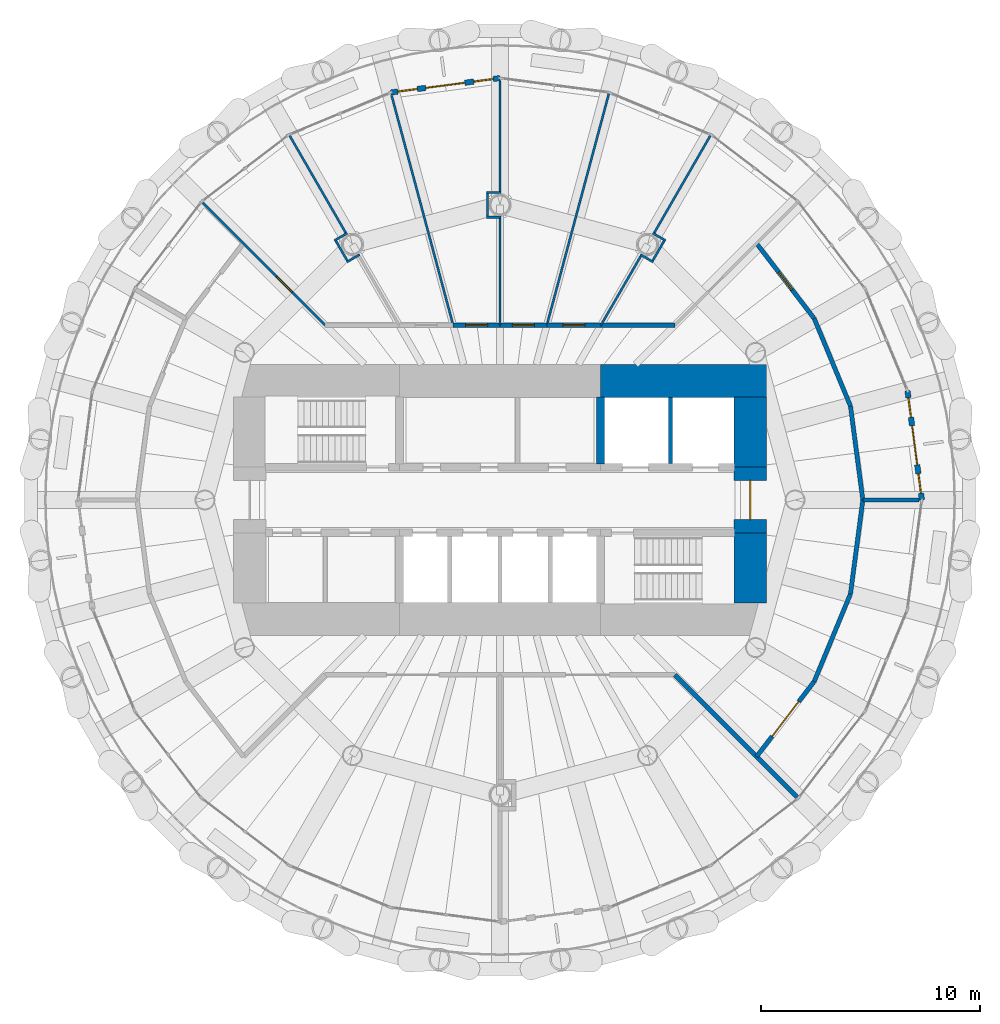
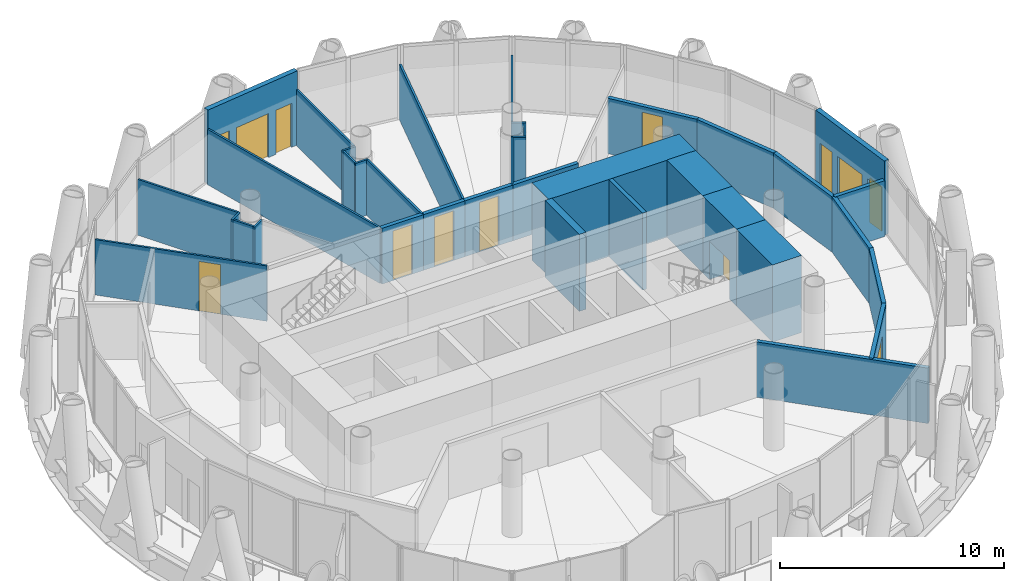
# One storey, part 11 of 15: 37 walls, 9 doors, 4 windows, 13 openings.
"""IFC4 building model written with IfcOpenShell, lengths in metres."""

from ifc_helpers import new_model, si_unit, direction, frame, frame_2d, origin, place, context, subcontext, project, spatial, rectangle, extrude, material, layer, layer_set, type_object, element, fill, save


model = new_model("IFC4")

# Units and contexts
model_context = context("Model", 3, precision=1e-05, world=origin(), true_north=direction((0.0, 1.0)))
body_context = subcontext(model_context, "Body", "Model", "MODEL_VIEW")
ifc_project = project(units=[si_unit("LENGTHUNIT", "METRE"), si_unit("AREAUNIT", "SQUARE_METRE"), si_unit("VOLUMEUNIT", "CUBIC_METRE"), si_unit("PLANEANGLEUNIT", "RADIAN"), si_unit("MASSUNIT", "GRAM", prefix="KILO")], contexts=[model_context])

# Site, building, storey
site_placement = place(None, origin())
site = spatial("IfcSite", under=ifc_project, at=site_placement, CompositionType="ELEMENT")
building_placement = place(site_placement, origin())
building = spatial("IfcBuilding", under=site, at=building_placement, Name="Qaws Media Tower", CompositionType="ELEMENT")
storey_placement = place(building_placement, frame((0.0, 0.0, 265.39990234375)))
storey = spatial("IfcBuildingStorey", under=building, at=storey_placement, Name="L61", CompositionType="ELEMENT", Elevation=265.39990234375)

# Wall, openings, door, windows
ifc_material_1 = material(Name="Precast concrete, exposed finish", Category="concrete")
ifc_layer_1 = layer(ifc_material_1, 0.25)
ifc_layer_set_1 = layer_set([ifc_layer_1], Name="Balcony door wall 250")
wall_type_1 = type_object("IfcWallType", Name="Balcony door wall 250", PredefinedType="SOLIDWALL", material=ifc_layer_set_1)
wall_1_placement = place(storey_placement, frame((79.300048828125, 50.0, 0.0), z_axis=(0.0, 0.0, 1.0), x_axis=(-0.130544763891, 0.99144241619, 0.0)))
wall_1 = element("IfcWall", 1, at=wall_1_placement, inside=storey, type_object=wall_type_1, Name="W283 EW1 balcony door wall L61-01", PredefinedType="SOLIDWALL", context=body_context, shape_type="SweptSolid", body=[
    extrude(rectangle(XDim=5.038330078125, YDim=0.25, at=frame_2d((2.51904296875, 0.0))), origin(), (0.0, 0.0, 1.0), 4.0400390625),
])
opening_1_placement = place(wall_1_placement, frame((1.619140625, 0.0, 0.0)))
opening_1 = element("IfcOpeningElement", 2, at=opening_1_placement, cuts=wall_1, Name="Opening D7", PredefinedType="OPENING", context=body_context, shape_type="SweptSolid", body=[
    extrude(rectangle(XDim=1.800048828125, YDim=2.39990234375, at=frame_2d((0.89990234375, 1.199951171875))), frame((0.0, 0.135009765625, 0.0), z_axis=(0.0, -1.0, 0.0), x_axis=(1.0, 0.0, 0.0)), (0.0, 0.0, 1.0), 0.27001953125),
])
opening_2_placement = place(wall_1_placement, frame((0.319091796875, 0.0, 0.0)))
opening_2 = element("IfcOpeningElement", 3, at=opening_2_placement, cuts=wall_1, Name="Opening W7", PredefinedType="OPENING", context=body_context, shape_type="SweptSolid", body=[
    extrude(rectangle(XDim=0.89990234375, YDim=2.39990234375, at=frame_2d((0.449951171875, 1.199951171875))), frame((0.0, 0.135009765625, 0.0), z_axis=(0.0, -1.0, 0.0), x_axis=(1.0, 0.0, 0.0)), (0.0, 0.0, 1.0), 0.27001953125),
])
opening_3_placement = place(wall_1_placement, frame((3.819091796875, 0.0, 0.0)))
opening_3 = element("IfcOpeningElement", 4, at=opening_3_placement, cuts=wall_1, Name="Opening W7", PredefinedType="OPENING", context=body_context, shape_type="SweptSolid", body=[
    extrude(rectangle(XDim=0.89990234375, YDim=2.39990234375, at=frame_2d((0.449951171875, 1.199951171875))), frame((0.0, 0.135009765625, 0.0), z_axis=(0.0, -1.0, 0.0), x_axis=(1.0, 0.0, 0.0)), (0.0, 0.0, 1.0), 0.27001953125),
])
ifc_material_2 = material(Name="Aluminium and clear glass", Category="aluminium")
door_type_1 = type_object("IfcDoorType", Name="Balcony door pair 1800", OperationType="DOUBLE_DOOR_SLIDING", PredefinedType="DOOR", material=ifc_material_2)
door_1_placement = place(opening_1_placement, origin())
door_1 = element("IfcDoor", 5, at=door_1_placement, inside=storey, type_object=door_type_1, Name="D7 balcony door L61-01 in wall W283", OperationType="DOUBLE_DOOR_SLIDING", OverallHeight=2.39990234375, OverallWidth=1.800048828125, PredefinedType="DOOR", context=body_context, shape_type="SweptSolid", body=[
    extrude(rectangle(XDim=1.800048828125, YDim=2.39990234375, at=frame_2d((0.89990234375, 1.199951171875))), frame((0.0, 0.02490234375, 0.0), z_axis=(0.0, -1.0, 0.0), x_axis=(1.0, 0.0, 0.0)), (0.0, 0.0, 1.0), 0.050048828125),
])
fill(opening_1, door_1)
ifc_material_3 = material(Name="Aluminium and clear glass", Category="aluminium")
window_type = type_object("IfcWindowType", Name="Balcony side window 900", PartitioningType="SINGLE_PANEL", PredefinedType="WINDOW", material=ifc_material_3)
window_1_placement = place(opening_2_placement, origin())
window_1 = element("IfcWindow", 6, at=window_1_placement, inside=storey, type_object=window_type, Name="W1 balcony side light L61-01L", OverallHeight=2.39990234375, OverallWidth=0.89990234375, PartitioningType="SINGLE_PANEL", PredefinedType="WINDOW", context=body_context, shape_type="SweptSolid", body=[
    extrude(rectangle(XDim=0.89990234375, YDim=2.39990234375, at=frame_2d((0.449951171875, 1.199951171875))), frame((0.0, 0.030029296875, 0.0), z_axis=(0.0, -1.0, 0.0), x_axis=(1.0, 0.0, 0.0)), (0.0, 0.0, 1.0), 0.06005859375),
])
fill(opening_2, window_1)
window_2_placement = place(opening_3_placement, origin())
window_2 = element("IfcWindow", 7, at=window_2_placement, inside=storey, type_object=window_type, Name="W1 balcony side light L61-01R", OverallHeight=2.39990234375, OverallWidth=0.89990234375, PartitioningType="SINGLE_PANEL", PredefinedType="WINDOW", context=body_context, shape_type="SweptSolid", body=[
    extrude(rectangle(XDim=0.89990234375, YDim=2.39990234375, at=frame_2d((0.449951171875, 1.199951171875))), frame((0.0, 0.030029296875, 0.0), z_axis=(0.0, -1.0, 0.0), x_axis=(1.0, 0.0, 0.0)), (0.0, 0.0, 1.0), 0.06005859375),
])
fill(opening_3, window_2)

wall_2_placement = place(storey_placement, frame((60.0, 69.300048828125, 0.0), z_axis=(0.0, 0.0, 1.0), x_axis=(-0.99144241619, -0.130544763891, 0.0)))
wall_2 = element("IfcWall", 8, at=wall_2_placement, inside=storey, type_object=wall_type_1, Name="W282 EW1 balcony door wall L61-07", PredefinedType="SOLIDWALL", context=body_context, shape_type="SweptSolid", body=[
    extrude(rectangle(XDim=5.038330078125, YDim=0.25, at=frame_2d((2.51904296875, 0.0))), origin(), (0.0, 0.0, 1.0), 4.0400390625),
])
opening_4_placement = place(wall_2_placement, frame((1.619140625, 0.0, 0.0)))
opening_4 = element("IfcOpeningElement", 9, at=opening_4_placement, cuts=wall_2, Name="Opening D7", PredefinedType="OPENING", context=body_context, shape_type="SweptSolid", body=[
    extrude(rectangle(XDim=1.800048828125, YDim=2.39990234375, at=frame_2d((0.89990234375, 1.199951171875))), frame((0.0, 0.135009765625, 0.0), z_axis=(0.0, -1.0, 0.0), x_axis=(1.0, 0.0, 0.0)), (0.0, 0.0, 1.0), 0.27001953125),
])
opening_5_placement = place(wall_2_placement, frame((0.319091796875, 0.0, 0.0)))
opening_5 = element("IfcOpeningElement", 10, at=opening_5_placement, cuts=wall_2, Name="Opening W7", PredefinedType="OPENING", context=body_context, shape_type="SweptSolid", body=[
    extrude(rectangle(XDim=0.89990234375, YDim=2.39990234375, at=frame_2d((0.449951171875, 1.199951171875))), frame((0.0, 0.135009765625, 0.0), z_axis=(0.0, -1.0, 0.0), x_axis=(1.0, 0.0, 0.0)), (0.0, 0.0, 1.0), 0.27001953125),
])
opening_6_placement = place(wall_2_placement, frame((3.819091796875, 0.0, 0.0)))
opening_6 = element("IfcOpeningElement", 11, at=opening_6_placement, cuts=wall_2, Name="Opening W7", PredefinedType="OPENING", context=body_context, shape_type="SweptSolid", body=[
    extrude(rectangle(XDim=0.89990234375, YDim=2.39990234375, at=frame_2d((0.449951171875, 1.199951171875))), frame((0.0, 0.135009765625, 0.0), z_axis=(0.0, -1.0, 0.0), x_axis=(1.0, 0.0, 0.0)), (0.0, 0.0, 1.0), 0.27001953125),
])
door_2_placement = place(opening_4_placement, origin())
door_2 = element("IfcDoor", 12, at=door_2_placement, inside=storey, type_object=door_type_1, Name="D7 balcony door L61-07 in wall W282", OperationType="DOUBLE_DOOR_SLIDING", OverallHeight=2.39990234375, OverallWidth=1.800048828125, PredefinedType="DOOR", context=body_context, shape_type="SweptSolid", body=[
    extrude(rectangle(XDim=1.800048828125, YDim=2.39990234375, at=frame_2d((0.89990234375, 1.199951171875))), frame((0.0, 0.02490234375, 0.0), z_axis=(0.0, -1.0, 0.0), x_axis=(1.0, 0.0, 0.0)), (0.0, 0.0, 1.0), 0.050048828125),
])
fill(opening_4, door_2)
window_3_placement = place(opening_5_placement, origin())
window_3 = element("IfcWindow", 13, at=window_3_placement, inside=storey, type_object=window_type, Name="W1 balcony side light L61-07L", OverallHeight=2.39990234375, OverallWidth=0.89990234375, PartitioningType="SINGLE_PANEL", PredefinedType="WINDOW", context=body_context, shape_type="SweptSolid", body=[
    extrude(rectangle(XDim=0.89990234375, YDim=2.39990234375, at=frame_2d((0.449951171875, 1.199951171875))), frame((0.0, 0.030029296875, 0.0), z_axis=(0.0, -1.0, 0.0), x_axis=(1.0, 0.0, 0.0)), (0.0, 0.0, 1.0), 0.06005859375),
])
fill(opening_5, window_3)
window_4_placement = place(opening_6_placement, origin())
window_4 = element("IfcWindow", 14, at=window_4_placement, inside=storey, type_object=window_type, Name="W1 balcony side light L61-07R", OverallHeight=2.39990234375, OverallWidth=0.89990234375, PartitioningType="SINGLE_PANEL", PredefinedType="WINDOW", context=body_context, shape_type="SweptSolid", body=[
    extrude(rectangle(XDim=0.89990234375, YDim=2.39990234375, at=frame_2d((0.449951171875, 1.199951171875))), frame((0.0, 0.030029296875, 0.0), z_axis=(0.0, -1.0, 0.0), x_axis=(1.0, 0.0, 0.0)), (0.0, 0.0, 1.0), 0.06005859375),
])
fill(opening_6, window_4)

# Walls
ifc_material_4 = material(Name="Concrete C60/75", Category="concrete")
ifc_layer_2 = layer(ifc_material_4, 0.35009765625)
ifc_layer_set_2 = layer_set([ifc_layer_2], Name="Core inner wall 350")
wall_type_2 = type_object("IfcWallType", Name="Core inner wall 350", PredefinedType="SHEAR", material=ifc_layer_set_2)
wall_3_placement = place(storey_placement, frame((64.60009765625, 51.655029296875, 0.0), z_axis=(0.0, 0.0, 1.0), x_axis=(0.0, 1.0, 0.0)))
element("IfcWall", 15, at=wall_3_placement, inside=storey, type_object=wall_type_2, Name="W309 SW5 core wall XNE L61", PredefinedType="SHEAR", context=body_context, shape_type="SweptSolid", body=[
    extrude(rectangle(XDim=3.06494140625, YDim=0.35009765625, at=frame_2d((1.532470703125, 0.0))), origin(), (0.0, 0.0, 1.0), 4.2001953125),
])
ifc_material_5 = material(Name="Concrete C60/75", Category="concrete")
ifc_layer_3 = layer(ifc_material_5, 1.5)
ifc_layer_set_3 = layer_set([ifc_layer_3], Name="Core wall 1500")
wall_type_3 = type_object("IfcWallType", Name="Core wall 1500", PredefinedType="SHEAR", material=ifc_layer_set_3)
wall_4_placement = place(storey_placement, frame((64.60009765625, 55.449951171875, 0.0), z_axis=(0.0, 0.0, 1.0), x_axis=(1.0, 0.0, 0.0)))
element("IfcWall", 16, at=wall_4_placement, inside=storey, type_object=wall_type_3, Name="W382 SW13 core wall NE L61", PredefinedType="SHEAR", context=body_context, shape_type="SweptSolid", body=[
    extrude(rectangle(XDim=7.599853515625, YDim=1.5, at=frame_2d((3.7998046875, 0.0))), origin(), (0.0, 0.0, 1.0), 4.2001953125),
])
wall_5_placement = place(storey_placement, frame((71.449951171875, 45.280029296875, 0.0), z_axis=(0.0, 0.0, 1.0), x_axis=(0.0, 1.0, 0.0)))
element("IfcWall", 17, at=wall_5_placement, inside=storey, type_object=wall_type_3, Name="W383 SW13 core wall ES L61", PredefinedType="SHEAR", context=body_context, shape_type="SweptSolid", body=[
    extrude(rectangle(XDim=3.219970703125, YDim=1.5, at=frame_2d((1.60986328125, 0.0))), origin(), (0.0, 0.0, 1.0), 4.2001953125),
])

# Wall, opening, door
wall_6_placement = place(storey_placement, frame((71.449951171875, 48.5, 0.0), z_axis=(0.0, 0.0, 1.0), x_axis=(0.0, 1.0, 0.0)))
wall_6 = element("IfcWall", 18, at=wall_6_placement, inside=storey, type_object=wall_type_3, Name="W384 SW13 core wall E L61", PredefinedType="SHEAR", context=body_context, shape_type="SweptSolid", body=[
    extrude(rectangle(XDim=3.0, YDim=1.5, at=frame_2d((1.5, 0.0))), origin(), (0.0, 0.0, 1.0), 4.2001953125),
])
opening_7_placement = place(wall_6_placement, frame((0.60009765625, 0.0, 0.0)))
opening_7 = element("IfcOpeningElement", 19, at=opening_7_placement, cuts=wall_6, Name="Opening D2", PredefinedType="OPENING", context=body_context, shape_type="SweptSolid", body=[
    extrude(rectangle(XDim=1.800048828125, YDim=2.10009765625, at=frame_2d((0.89990234375, 1.050048828125))), frame((0.0, 0.760009765625, 0.0), z_axis=(0.0, -1.0, 0.0), x_axis=(1.0, 0.0, 0.0)), (0.0, 0.0, 1.0), 1.52001953125),
])
ifc_material_6 = material(Name="Steel and glass, fire rated", Category="steel")
door_type_2 = type_object("IfcDoorType", Name="Lobby door pair 1800 FD60", OperationType="DOUBLE_DOOR_DOUBLE_SWING", PredefinedType="DOOR", material=ifc_material_6)
door_3_placement = place(opening_7_placement, origin())
door_3 = element("IfcDoor", 20, at=door_3_placement, inside=storey, type_object=door_type_2, Name="D2 core lobby door E L61 in wall W384", OperationType="DOUBLE_DOOR_DOUBLE_SWING", OverallHeight=2.10009765625, OverallWidth=1.800048828125, PredefinedType="DOOR", context=body_context, shape_type="SweptSolid", body=[
    extrude(rectangle(XDim=1.800048828125, YDim=2.10009765625, at=frame_2d((0.89990234375, 1.050048828125))), frame((0.0, 0.02490234375, 0.0), z_axis=(0.0, -1.0, 0.0), x_axis=(1.0, 0.0, 0.0)), (0.0, 0.0, 1.0), 0.050048828125),
])
fill(opening_7, door_3)

# Walls
wall_7_placement = place(storey_placement, frame((71.449951171875, 51.5, 0.0), z_axis=(0.0, 0.0, 1.0), x_axis=(0.0, 1.0, 0.0)))
element("IfcWall", 21, at=wall_7_placement, inside=storey, type_object=wall_type_3, Name="W385 SW13 core wall EN L61", PredefinedType="SHEAR", context=body_context, shape_type="SweptSolid", body=[
    extrude(rectangle(XDim=3.219970703125, YDim=1.5, at=frame_2d((1.60986328125, 0.0))), origin(), (0.0, 0.0, 1.0), 4.2001953125),
])
ifc_material_7 = material(Name="Gypsum board on 70 metal studs, single layer each side", Category="gypsum")
ifc_layer_4 = layer(ifc_material_7, 0.10009765625)
ifc_layer_set_4 = layer_set([ifc_layer_4], Name="Office stud partition 100")
wall_type_4 = type_object("IfcWallType", Name="Office stud partition 100", PredefinedType="PARTITIONING", material=ifc_layer_set_4)
wall_8_placement = place(storey_placement, frame((66.423095703125, 61.225341796875, 0.0), z_axis=(0.0, 0.0, 1.0), x_axis=(0.865993452726, -0.500055336774, 0.0)))
element("IfcWall", 22, at=wall_8_placement, inside=storey, type_object=wall_type_4, Name="W719 IW4 partition return L61", PredefinedType="PARTITIONING", context=body_context, shape_type="SweptSolid", body=[
    extrude(rectangle(XDim=0.67724609375, YDim=0.10009765625, at=frame_2d((0.338623046875, 0.0))), origin(), (0.0, 0.0, 1.0), 3.02001953125),
])
wall_9_placement = place(storey_placement, frame((66.990234375, 62.20751953125, 0.0), z_axis=(0.0, 0.0, 1.0), x_axis=(0.865903257996, -0.500211503058, 0.0)))
element("IfcWall", 23, at=wall_9_placement, inside=storey, type_object=wall_type_4, Name="W720 IW4 partition return L61", PredefinedType="PARTITIONING", context=body_context, shape_type="SweptSolid", body=[
    extrude(rectangle(XDim=0.677001953125, YDim=0.10009765625, at=frame_2d((0.33837890625, 0.0))), origin(), (0.0, 0.0, 1.0), 3.02001953125),
])
wall_10_placement = place(storey_placement, frame((66.9912109375, 60.955078125, 0.0), z_axis=(0.0, 0.0, 1.0), x_axis=(0.500049439734, 0.865996857859, 0.0)))
element("IfcWall", 24, at=wall_10_placement, inside=storey, type_object=wall_type_4, Name="W721 IW4 partition return L61", PredefinedType="PARTITIONING", context=body_context, shape_type="SweptSolid", body=[
    extrude(rectangle(XDim=1.0341796875, YDim=0.10009765625, at=frame_2d((0.51708984375, 0.0))), origin(), (0.0, 0.0, 1.0), 3.02001953125),
])
wall_11_placement = place(storey_placement, frame((64.6201171875, 58.002197265625, 0.0), z_axis=(0.0, 0.0, 1.0), x_axis=(0.499973852758, 0.866040499375, 0.0)))
element("IfcWall", 25, at=wall_11_placement, inside=storey, type_object=wall_type_4, Name="W708 IW4 partition L61", PredefinedType="PARTITIONING", context=body_context, shape_type="SweptSolid", body=[
    extrude(rectangle(XDim=3.642822265625, YDim=0.10009765625, at=frame_2d((1.8212890625, 0.0))), origin(), (0.0, 0.0, 1.0), 3.0400390625),
])
wall_12_placement = place(storey_placement, frame((67.05859375, 62.2255859375, 0.0), z_axis=(0.0, 0.0, 1.0), x_axis=(0.499958048256, 0.86604962328, 0.0)))
element("IfcWall", 26, at=wall_12_placement, inside=storey, type_object=wall_type_4, Name="W722 IW4 partition L61", PredefinedType="PARTITIONING", context=body_context, shape_type="SweptSolid", body=[
    extrude(rectangle(XDim=5.14306640625, YDim=0.10009765625, at=frame_2d((2.571533203125, 0.0))), origin(), (0.0, 0.0, 1.0), 3.0400390625),
])
wall_13_placement = place(storey_placement, frame((62.14306640625, 57.997802734375, 0.0), z_axis=(0.0, 0.0, 1.0), x_axis=(0.258813883274, 0.965927209382, 0.0)))
element("IfcWall", 27, at=wall_13_placement, inside=storey, type_object=wall_type_4, Name="W718 IW4 partition L61", PredefinedType="PARTITIONING", context=body_context, shape_type="SweptSolid", body=[
    extrude(rectangle(XDim=10.97998046875, YDim=0.10009765625, at=frame_2d((5.489990234375, 0.0))), origin(), (0.0, 0.0, 1.0), 3.02001953125),
])
for number, where, z_axis, x_axis, name in (
    (28, (60.050048828125, 62.93310546875, 0.0), (0.0, 0.0, 1.0), (-1.0, 0.0, 0.0), "W705 IW4 partition return L61"),
    (29, (60.050048828125, 64.06689453125, 0.0), (0.0, 0.0, 1.0), (-1.0, 0.0, 0.0), "W706 IW4 partition return L61"),
):
    element("IfcWall", number, at=place(storey_placement, frame(where, z_axis=z_axis, x_axis=x_axis)), inside=storey, type_object=wall_type_4, Name=name, PredefinedType="PARTITIONING", context=body_context, shape_type="SweptSolid", body=[
        extrude(rectangle(XDim=0.677001953125, YDim=0.10009765625, at=frame_2d((0.33837890625, 0.0))), origin(), (0.0, 0.0, 1.0), 3.02001953125),
    ])
wall_14_placement = place(storey_placement, frame((59.423095703125, 62.98291015625, 0.0), z_axis=(0.0, 0.0, 1.0), x_axis=(0.0, 1.0, 0.0)))
element("IfcWall", 30, at=wall_14_placement, inside=storey, type_object=wall_type_4, Name="W702 IW4 partition return L61", PredefinedType="PARTITIONING", context=body_context, shape_type="SweptSolid", body=[
    extrude(rectangle(XDim=1.0341796875, YDim=0.10009765625, at=frame_2d((0.51708984375, 0.0))), origin(), (0.0, 0.0, 1.0), 3.02001953125),
])
wall_15_placement = place(storey_placement, frame((60.0, 58.0, 0.0), z_axis=(0.0, 0.0, 1.0), x_axis=(0.0, 1.0, 0.0)))
element("IfcWall", 31, at=wall_15_placement, inside=storey, type_object=wall_type_4, Name="W703 IW4 partition L61", PredefinedType="PARTITIONING", context=body_context, shape_type="SweptSolid", body=[
    extrude(rectangle(XDim=4.883056640625, YDim=0.10009765625, at=frame_2d((2.44140625, 0.0))), origin(), (0.0, 0.0, 1.0), 3.0400390625),
])
wall_16_placement = place(storey_placement, frame((60.0, 64.116943359375, 0.0), z_axis=(0.0, 0.0, 1.0), x_axis=(0.0, 1.0, 0.0)))
element("IfcWall", 32, at=wall_16_placement, inside=storey, type_object=wall_type_4, Name="W717 IW4 partition L61", PredefinedType="PARTITIONING", context=body_context, shape_type="SweptSolid", body=[
    extrude(rectangle(XDim=5.04296875, YDim=0.10009765625, at=frame_2d((2.521484375, 0.0))), origin(), (0.0, 0.0, 1.0), 3.0400390625),
])
wall_17_placement = place(storey_placement, frame((57.85693359375, 57.997802734375, 0.0), z_axis=(0.0, 0.0, 1.0), x_axis=(-0.258816094401, 0.965926616922, 0.0)))
element("IfcWall", 33, at=wall_17_placement, inside=storey, type_object=wall_type_4, Name="W716 IW4 partition L61", PredefinedType="PARTITIONING", context=body_context, shape_type="SweptSolid", body=[
    extrude(rectangle(XDim=10.8798828125, YDim=0.10009765625, at=frame_2d((5.43994140625, 0.0))), origin(), (0.0, 0.0, 1.0), 3.02001953125),
])
wall_18_placement = place(storey_placement, frame((53.576904296875, 61.225341796875, 0.0), z_axis=(0.0, 0.0, 1.0), x_axis=(-0.865993452726, -0.500055336774, 0.0)))
element("IfcWall", 34, at=wall_18_placement, inside=storey, type_object=wall_type_4, Name="W699 IW4 partition return L61", PredefinedType="PARTITIONING", context=body_context, shape_type="SweptSolid", body=[
    extrude(rectangle(XDim=0.67724609375, YDim=0.10009765625, at=frame_2d((0.338623046875, 0.0))), origin(), (0.0, 0.0, 1.0), 3.02001953125),
])
wall_19_placement = place(storey_placement, frame((53.009765625, 62.20751953125, 0.0), z_axis=(0.0, 0.0, 1.0), x_axis=(-0.865903257996, -0.500211503058, 0.0)))
element("IfcWall", 35, at=wall_19_placement, inside=storey, type_object=wall_type_4, Name="W698 IW4 partition return L61", PredefinedType="PARTITIONING", context=body_context, shape_type="SweptSolid", body=[
    extrude(rectangle(XDim=0.677001953125, YDim=0.10009765625, at=frame_2d((0.33837890625, 0.0))), origin(), (0.0, 0.0, 1.0), 3.02001953125),
])
wall_20_placement = place(storey_placement, frame((53.0087890625, 60.955078125, 0.0), z_axis=(0.0, 0.0, 1.0), x_axis=(-0.500049439734, 0.865996857859, 0.0)))
element("IfcWall", 36, at=wall_20_placement, inside=storey, type_object=wall_type_4, Name="W697 IW4 partition return L61", PredefinedType="PARTITIONING", context=body_context, shape_type="SweptSolid", body=[
    extrude(rectangle(XDim=1.0341796875, YDim=0.10009765625, at=frame_2d((0.51708984375, 0.0))), origin(), (0.0, 0.0, 1.0), 3.02001953125),
])
wall_21_placement = place(storey_placement, frame((52.94140625, 62.2255859375, 0.0), z_axis=(0.0, 0.0, 1.0), x_axis=(-0.499958048256, 0.86604962328, 0.0)))
element("IfcWall", 37, at=wall_21_placement, inside=storey, type_object=wall_type_4, Name="W715 IW4 partition L61", PredefinedType="PARTITIONING", context=body_context, shape_type="SweptSolid", body=[
    extrude(rectangle(XDim=5.14306640625, YDim=0.10009765625, at=frame_2d((2.571533203125, 0.0))), origin(), (0.0, 0.0, 1.0), 3.0400390625),
])

# Wall, opening, door
wall_22_placement = place(storey_placement, frame((52.0, 58.0, 0.0), z_axis=(0.0, 0.0, 1.0), x_axis=(-0.707106781187, 0.707106781187, 0.0)))
wall_22 = element("IfcWall", 38, at=wall_22_placement, inside=storey, type_object=wall_type_4, Name="W714 IW4 partition L61", PredefinedType="PARTITIONING", context=body_context, shape_type="SweptSolid", body=[
    extrude(rectangle(XDim=7.9462890625, YDim=0.10009765625, at=frame_2d((3.97314453125, 0.0))), origin(), (0.0, 0.0, 1.0), 3.02001953125),
])
opening_8_placement = place(wall_22_placement, frame((2.14306640625, 0.0, 0.0)))
opening_8 = element("IfcOpeningElement", 39, at=opening_8_placement, cuts=wall_22, Name="Opening D28", PredefinedType="OPENING", context=body_context, shape_type="SweptSolid", body=[
    extrude(rectangle(XDim=1.0, YDim=2.699951171875, at=frame_2d((0.5, 1.35009765625))), frame((0.0, 0.06005859375, 0.0), z_axis=(0.0, -1.0, 0.0), x_axis=(1.0, 0.0, 0.0)), (0.0, 0.0, 1.0), 0.1201171875),
])
ifc_material_8 = material(Name="Timber veneered, full height, acoustic seals", Category="wood")
door_type_3 = type_object("IfcDoorType", Name="Executive connecting door 1000x2700", OperationType="SINGLE_SWING_LEFT", PredefinedType="DOOR", material=ifc_material_8)
door_4_placement = place(opening_8_placement, origin())
door_4 = element("IfcDoor", 40, at=door_4_placement, inside=storey, type_object=door_type_3, Name="D28 Executive office door L61 in wall W714", OperationType="SINGLE_SWING_LEFT", OverallHeight=2.699951171875, OverallWidth=1.0, PredefinedType="DOOR", context=body_context, shape_type="SweptSolid", body=[
    extrude(rectangle(XDim=1.0, YDim=2.699951171875, at=frame_2d((0.5, 1.35009765625))), frame((0.0, 0.02490234375, 0.0), z_axis=(0.0, -1.0, 0.0), x_axis=(1.0, 0.0, 0.0)), (0.0, 0.0, 1.0), 0.050048828125),
])
fill(opening_8, door_4)

ifc_material_9 = material(Name="Gypsum board on galvanised metal studs, acoustic double stud, deflection head", Category="gypsum")
ifc_layer_5 = layer(ifc_material_9, 0.199951171875)
ifc_layer_set_5 = layer_set([ifc_layer_5], Name="Room partition 200")
wall_type_5 = type_object("IfcWallType", Name="Room partition 200", PredefinedType="PARTITIONING", material=ifc_layer_set_5)
wall_23_placement = place(storey_placement, frame((57.8564453125, 58.0, 0.0), z_axis=(0.0, 0.0, 1.0), x_axis=(1.0, 0.0, 0.0)))
wall_23 = element("IfcWall", 41, at=wall_23_placement, inside=storey, type_object=wall_type_5, Name="W1719 IW3 partition L61", PredefinedType="PARTITIONING", context=body_context, shape_type="SweptSolid", body=[
    extrude(rectangle(XDim=2.1435546875, YDim=0.199951171875, at=frame_2d((1.07177734375, 0.0))), origin(), (0.0, 0.0, 1.0), 3.0400390625),
])
opening_9_placement = place(wall_23_placement, frame((0.57177734375, 0.0, 0.0)))
opening_9 = element("IfcOpeningElement", 42, at=opening_9_placement, cuts=wall_23, Name="Opening D21", PredefinedType="OPENING", context=body_context, shape_type="SweptSolid", body=[
    extrude(rectangle(XDim=1.0, YDim=2.699951171875, at=frame_2d((0.5, 1.35009765625))), frame((0.0, 0.10986328125, 0.0), z_axis=(0.0, -1.0, 0.0), x_axis=(1.0, 0.0, 0.0)), (0.0, 0.0, 1.0), 0.219970703125),
])
ifc_material_10 = material(Name="Timber veneered, full height, acoustic seals", Category="wood")
door_type_4 = type_object("IfcDoorType", Name="Executive door 1000x2700", OperationType="SINGLE_SWING_LEFT", PredefinedType="DOOR", material=ifc_material_10)
door_5_placement = place(opening_9_placement, origin())
door_5 = element("IfcDoor", 43, at=door_5_placement, inside=storey, type_object=door_type_4, Name="D21 Executive office door L61 in wall W1719", OperationType="SINGLE_SWING_LEFT", OverallHeight=2.699951171875, OverallWidth=1.0, PredefinedType="DOOR", context=body_context, shape_type="SweptSolid", body=[
    extrude(rectangle(XDim=1.0, YDim=2.699951171875, at=frame_2d((0.5, 1.35009765625))), frame((0.0, 0.02490234375, 0.0), z_axis=(0.0, -1.0, 0.0), x_axis=(1.0, 0.0, 0.0)), (0.0, 0.0, 1.0), 0.050048828125),
])
fill(opening_9, door_5)

wall_24_placement = place(storey_placement, frame((60.0, 58.0, 0.0), z_axis=(0.0, 0.0, 1.0), x_axis=(1.0, 0.0, 0.0)))
wall_24 = element("IfcWall", 44, at=wall_24_placement, inside=storey, type_object=wall_type_5, Name="W1723 IW3 partition L61", PredefinedType="PARTITIONING", context=body_context, shape_type="SweptSolid", body=[
    extrude(rectangle(XDim=2.1435546875, YDim=0.199951171875, at=frame_2d((1.07177734375, 0.0))), origin(), (0.0, 0.0, 1.0), 3.0400390625),
])
opening_10_placement = place(wall_24_placement, frame((0.57177734375, 0.0, 0.0)))
opening_10 = element("IfcOpeningElement", 45, at=opening_10_placement, cuts=wall_24, Name="Opening D21", PredefinedType="OPENING", context=body_context, shape_type="SweptSolid", body=[
    extrude(rectangle(XDim=1.0, YDim=2.699951171875, at=frame_2d((0.5, 1.35009765625))), frame((0.0, 0.10986328125, 0.0), z_axis=(0.0, -1.0, 0.0), x_axis=(1.0, 0.0, 0.0)), (0.0, 0.0, 1.0), 0.219970703125),
])
door_6_placement = place(opening_10_placement, origin())
door_6 = element("IfcDoor", 46, at=door_6_placement, inside=storey, type_object=door_type_4, Name="D21 Executive office door L61 in wall W1723", OperationType="SINGLE_SWING_LEFT", OverallHeight=2.699951171875, OverallWidth=1.0, PredefinedType="DOOR", context=body_context, shape_type="SweptSolid", body=[
    extrude(rectangle(XDim=1.0, YDim=2.699951171875, at=frame_2d((0.5, 1.35009765625))), frame((0.0, 0.02490234375, 0.0), z_axis=(0.0, -1.0, 0.0), x_axis=(1.0, 0.0, 0.0)), (0.0, 0.0, 1.0), 0.050048828125),
])
fill(opening_10, door_6)

wall_25_placement = place(storey_placement, frame((62.1435546875, 58.0, 0.0), z_axis=(0.0, 0.0, 1.0), x_axis=(1.0, 0.0, 0.0)))
wall_25 = element("IfcWall", 47, at=wall_25_placement, inside=storey, type_object=wall_type_5, Name="W1725 IW3 partition L61", PredefinedType="PARTITIONING", context=body_context, shape_type="SweptSolid", body=[
    extrude(rectangle(XDim=2.475341796875, YDim=0.199951171875, at=frame_2d((1.23779296875, 0.0))), origin(), (0.0, 0.0, 1.0), 3.0400390625),
])
opening_11_placement = place(wall_25_placement, frame((0.737548828125, 0.0, 0.0)))
opening_11 = element("IfcOpeningElement", 48, at=opening_11_placement, cuts=wall_25, Name="Opening D21", PredefinedType="OPENING", context=body_context, shape_type="SweptSolid", body=[
    extrude(rectangle(XDim=1.0, YDim=2.699951171875, at=frame_2d((0.5, 1.35009765625))), frame((0.0, 0.10986328125, 0.0), z_axis=(0.0, -1.0, 0.0), x_axis=(1.0, 0.0, 0.0)), (0.0, 0.0, 1.0), 0.219970703125),
])
door_7_placement = place(opening_11_placement, origin())
door_7 = element("IfcDoor", 49, at=door_7_placement, inside=storey, type_object=door_type_4, Name="D21 Executive office door L61 in wall W1725", OperationType="SINGLE_SWING_LEFT", OverallHeight=2.699951171875, OverallWidth=1.0, PredefinedType="DOOR", context=body_context, shape_type="SweptSolid", body=[
    extrude(rectangle(XDim=1.0, YDim=2.699951171875, at=frame_2d((0.5, 1.35009765625))), frame((0.0, 0.02490234375, 0.0), z_axis=(0.0, -1.0, 0.0), x_axis=(1.0, 0.0, 0.0)), (0.0, 0.0, 1.0), 0.050048828125),
])
fill(opening_11, door_7)

# Wall
wall_26_placement = place(storey_placement, frame((64.618896484375, 58.0, 0.0), z_axis=(0.0, 0.0, 1.0), x_axis=(1.0, 0.0, 0.0)))
element("IfcWall", 50, at=wall_26_placement, inside=storey, type_object=wall_type_5, Name="W1726 IW3 partition L61", PredefinedType="PARTITIONING", context=body_context, shape_type="SweptSolid", body=[
    extrude(rectangle(XDim=3.381103515625, YDim=0.199951171875, at=frame_2d((1.6904296875, 0.0))), origin(), (0.0, 0.0, 1.0), 3.0400390625),
])

# Wall, opening, door
wall_27_placement = place(storey_placement, frame((71.738037109375, 61.738037109375, 0.0), z_axis=(0.0, 0.0, 1.0), x_axis=(0.60874374674, -0.79336690806, 0.0)))
wall_27 = element("IfcWall", 51, at=wall_27_placement, inside=storey, type_object=wall_type_5, Name="W1747 IW3 partition L61", PredefinedType="PARTITIONING", context=body_context, shape_type="SweptSolid", body=[
    extrude(rectangle(XDim=4.33349609375, YDim=0.199951171875, at=frame_2d((2.166748046875, 0.0))), origin(), (0.0, 0.0, 1.0), 3.02001953125),
])
opening_12_placement = place(wall_27_placement, frame((1.666748046875, 0.0, 0.0)))
opening_12 = element("IfcOpeningElement", 52, at=opening_12_placement, cuts=wall_27, Name="Opening D21", PredefinedType="OPENING", context=body_context, shape_type="SweptSolid", body=[
    extrude(rectangle(XDim=1.0, YDim=2.699951171875, at=frame_2d((0.5, 1.35009765625))), frame((0.0, 0.10986328125, 0.0), z_axis=(0.0, -1.0, 0.0), x_axis=(1.0, 0.0, 0.0)), (0.0, 0.0, 1.0), 0.219970703125),
])
door_8_placement = place(opening_12_placement, origin())
door_8 = element("IfcDoor", 53, at=door_8_placement, inside=storey, type_object=door_type_4, Name="D21 Chairman's office door L61 in wall W1747", OperationType="SINGLE_SWING_LEFT", OverallHeight=2.699951171875, OverallWidth=1.0, PredefinedType="DOOR", context=body_context, shape_type="SweptSolid", body=[
    extrude(rectangle(XDim=1.0, YDim=2.699951171875, at=frame_2d((0.5, 1.35009765625))), frame((0.0, 0.02490234375, 0.0), z_axis=(0.0, -1.0, 0.0), x_axis=(1.0, 0.0, 0.0)), (0.0, 0.0, 1.0), 0.050048828125),
])
fill(opening_12, door_8)

# Walls
for number, where, z_axis, x_axis, name in (
    (54, (74.3759765625, 58.300048828125, 0.0), (0.0, 0.0, 1.0), (0.382698425325, -0.923873322082, 0.0), "W1749 IW3 partition L61"),
    (55, (76.034423828125, 54.29638671875, 0.0), (0.0, 0.0, 1.0), (0.130536124221, -0.99144355375, 0.0), "W1751 IW3 partition L61"),
    (56, (76.60009765625, 50.0, 0.0), (0.0, 0.0, 1.0), (-0.130536124221, -0.99144355375, 0.0), "W1752 IW3 partition L61"),
    (57, (76.034423828125, 45.70361328125, 0.0), (0.0, 0.0, 1.0), (-0.382698425325, -0.923873322082, 0.0), "W1750 IW3 partition L61"),
):
    element("IfcWall", number, at=place(storey_placement, frame(where, z_axis=z_axis, x_axis=x_axis)), inside=storey, type_object=wall_type_5, Name=name, PredefinedType="PARTITIONING", context=body_context, shape_type="SweptSolid", body=[
        extrude(rectangle(XDim=4.33349609375, YDim=0.199951171875, at=frame_2d((2.166748046875, 0.0))), origin(), (0.0, 0.0, 1.0), 3.02001953125),
    ])

# Wall, opening, door
wall_28_placement = place(storey_placement, frame((74.3759765625, 41.699951171875, 0.0), z_axis=(0.0, 0.0, 1.0), x_axis=(-0.60874374674, -0.79336690806, 0.0)))
wall_28 = element("IfcWall", 58, at=wall_28_placement, inside=storey, type_object=wall_type_5, Name="W1748 IW3 partition L61", PredefinedType="PARTITIONING", context=body_context, shape_type="SweptSolid", body=[
    extrude(rectangle(XDim=4.33349609375, YDim=0.199951171875, at=frame_2d((2.166748046875, 0.0))), origin(), (0.0, 0.0, 1.0), 3.02001953125),
])
opening_13_placement = place(wall_28_placement, frame((1.166748046875, 0.0, 0.0)))
opening_13 = element("IfcOpeningElement", 59, at=opening_13_placement, cuts=wall_28, Name="Opening D6", PredefinedType="OPENING", context=body_context, shape_type="SweptSolid", body=[
    extrude(rectangle(XDim=2.0, YDim=2.10009765625, at=frame_2d((1.0, 1.050048828125))), frame((0.0, 0.10986328125, 0.0), z_axis=(0.0, -1.0, 0.0), x_axis=(1.0, 0.0, 0.0)), (0.0, 0.0, 1.0), 0.219970703125),
])
ifc_material_11 = material(Name="Steel, acoustic, fire rated", Category="steel")
door_type_5 = type_object("IfcDoorType", Name="Room door pair 2000", OperationType="DOUBLE_DOOR_DOUBLE_SWING", PredefinedType="DOOR", material=ifc_material_11)
door_9_placement = place(opening_13_placement, origin())
door_9 = element("IfcDoor", 60, at=door_9_placement, inside=storey, type_object=door_type_5, Name="D6 Executive sitting room door L61 in wall W1748", OperationType="DOUBLE_DOOR_DOUBLE_SWING", OverallHeight=2.10009765625, OverallWidth=2.0, PredefinedType="DOOR", context=body_context, shape_type="SweptSolid", body=[
    extrude(rectangle(XDim=2.0, YDim=2.10009765625, at=frame_2d((1.0, 1.050048828125))), frame((0.0, 0.02490234375, 0.0), z_axis=(0.0, -1.0, 0.0), x_axis=(1.0, 0.0, 0.0)), (0.0, 0.0, 1.0), 0.050048828125),
])
fill(opening_13, door_9)

# Walls
wall_29_placement = place(storey_placement, frame((76.60009765625, 50.0, 0.0), z_axis=(0.0, 0.0, 1.0), x_axis=(1.0, 0.0, 0.0)))
element("IfcWall", 61, at=wall_29_placement, inside=storey, type_object=wall_type_5, Name="W1753 IW3 partition L61", PredefinedType="PARTITIONING", context=body_context, shape_type="SweptSolid", body=[
    extrude(rectangle(XDim=2.559814453125, YDim=0.199951171875, at=frame_2d((1.27978515625, 0.0))), origin(), (0.0, 0.0, 1.0), 3.0400390625),
])
wall_30_placement = place(storey_placement, frame((68.0, 42.0, 0.0), z_axis=(0.0, 0.0, 1.0), x_axis=(0.707106781187, -0.707106781187, 0.0)))
element("IfcWall", 62, at=wall_30_placement, inside=storey, type_object=wall_type_5, Name="W1746 IW3 partition L61", PredefinedType="PARTITIONING", context=body_context, shape_type="SweptSolid", body=[
    extrude(rectangle(XDim=7.9462890625, YDim=0.199951171875, at=frame_2d((3.97314453125, 0.0))), origin(), (0.0, 0.0, 1.0), 3.02001953125),
])
ifc_material_12 = material(Name="Fire-rated gypsum board shaft wall on galvanised metal studs, deflection head", Category="gypsum")
ifc_layer_6 = layer(ifc_material_12, 0.199951171875)
ifc_layer_set_6 = layer_set([ifc_layer_6], Name="Shaft wall 200")
wall_type_6 = type_object("IfcWallType", Name="Shaft wall 200", PredefinedType="PARTITIONING", material=ifc_layer_set_6)
wall_31_placement = place(storey_placement, frame((67.800048828125, 51.675048828125, 0.0), z_axis=(0.0, 0.0, 1.0), x_axis=(0.0, 1.0, 0.0)))
element("IfcWall", 63, at=wall_31_placement, inside=storey, type_object=wall_type_6, Name="W1874 IW1 shaft wall FL L61", PredefinedType="PARTITIONING", context=body_context, shape_type="SweptSolid", body=[
    extrude(rectangle(XDim=3.02490234375, YDim=0.199951171875, at=frame_2d((1.512451171875, 0.0))), origin(), (0.0, 0.0, 1.0), 4.2001953125),
])

save(model, "model.ifc")
